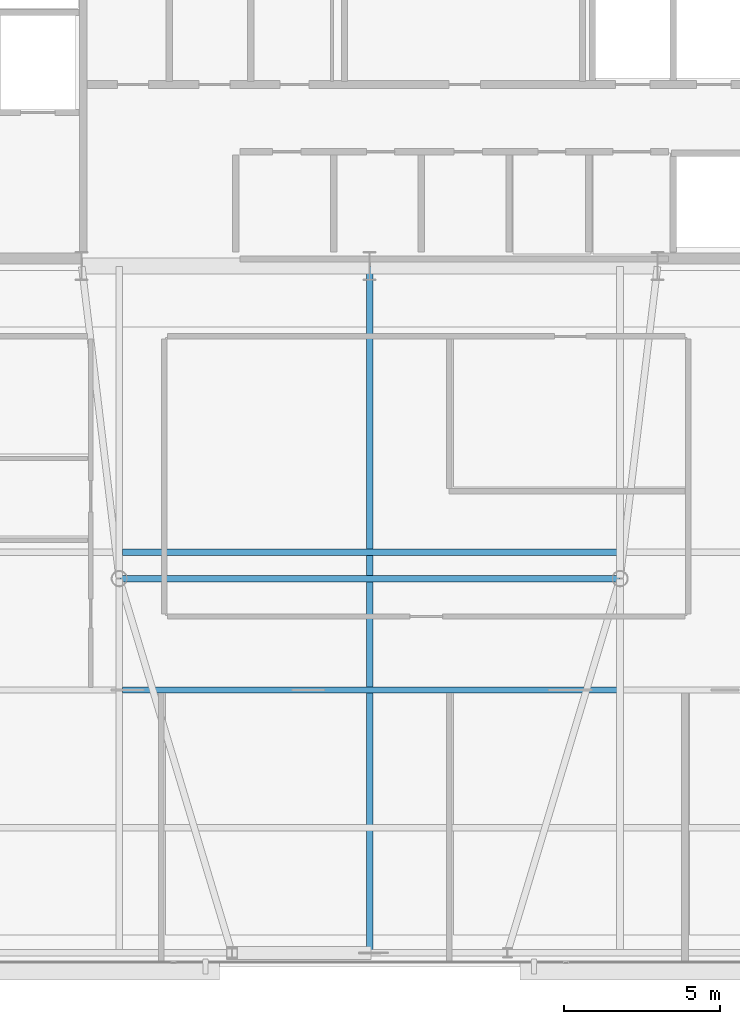
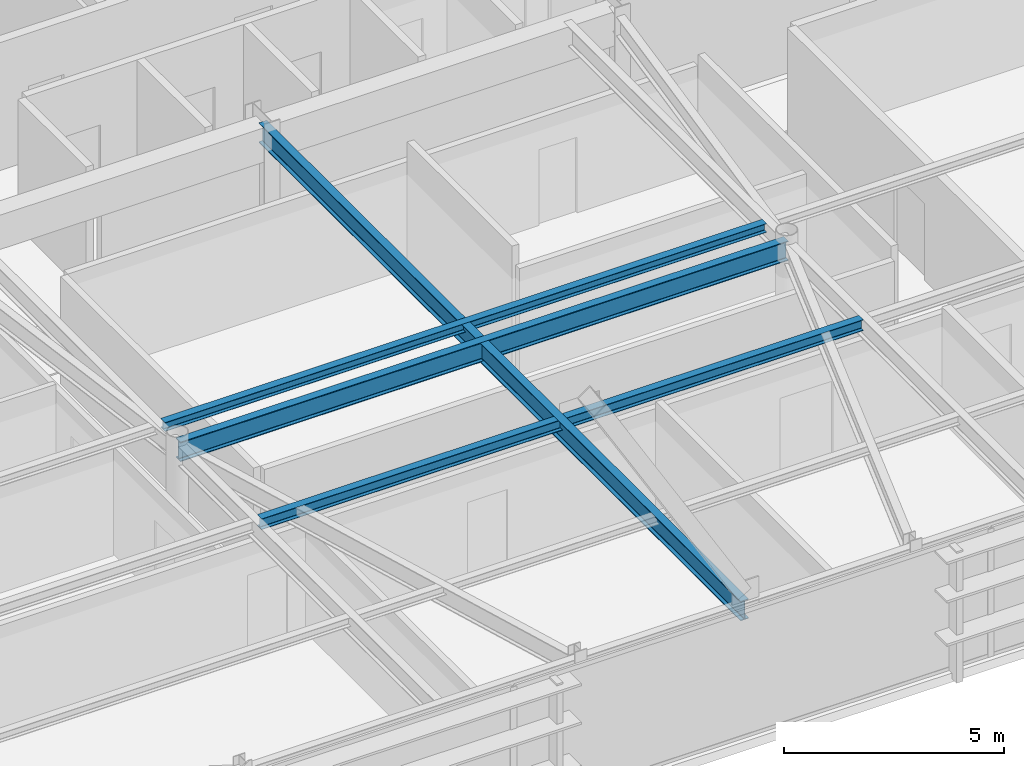
# One storey, part 9 of 24: 4 beams.
"""IFC4 building model written with IfcOpenShell, lengths in metres."""

from ifc_helpers import new_model, si_unit, direction, frame, origin, origin_2d, place, context, subcontext, project, spatial, i_section, extrude, source, transform, mapped, material, material_profile, profile_set, type_object, type_shapes, element, save


model = new_model("IFC4")

# Units and contexts
model_context = context("Model", 3, precision=1e-05, world=origin(), true_north=direction((0.0, 1.0)))
body_context = subcontext(model_context, "Body", "Model", "MODEL_VIEW")
ifc_project = project(units=[si_unit("LENGTHUNIT", "METRE"), si_unit("AREAUNIT", "SQUARE_METRE"), si_unit("VOLUMEUNIT", "CUBIC_METRE"), si_unit("PLANEANGLEUNIT", "RADIAN"), si_unit("MASSUNIT", "GRAM", prefix="KILO")], contexts=[model_context])

# Site, building, storey
site_placement = place(None, origin())
site = spatial("IfcSite", under=ifc_project, at=site_placement, CompositionType="ELEMENT")
building_placement = place(site_placement, origin())
building = spatial("IfcBuilding", under=site, at=building_placement, Name="Varnel Quay Broadcast Tower", CompositionType="ELEMENT")
storey_placement = place(building_placement, frame((0.0, 0.0, 262.199951171875)))
storey = spatial("IfcBuildingStorey", under=building, at=storey_placement, Name="L65", CompositionType="ELEMENT", Elevation=262.199951171875)

# Beams
ifc_material = material(Name="Structural Steel CSA G40.21 350W", Category="steel")
ifc_material_profile_1 = material_profile(ifc_material, i_section(OverallWidth=0.2119140625, OverallDepth=0.5439453125, WebThickness=0.01318359375, FlangeThickness=0.021240234375, FilletRadius=0.013916015625, at=origin_2d()), Name="W530X123")
ifc_profile_set_1 = profile_set([ifc_material_profile_1], Name="Structural Steel CSA G40.21 350W")
beam_type_1 = type_object("IfcBeamType", Name="Girder_W530X123", PredefinedType="BEAM", material=ifc_profile_set_1)
shared_shape_1 = source(origin(), body_context, "Body", "SweptSolid", [
    extrude(i_section(OverallWidth=0.2119140625, OverallDepth=0.5439453125, WebThickness=0.01318359375, FlangeThickness=0.021240234375, FilletRadius=0.013916015625, at=origin_2d()), origin(), (0.0, 0.0, 1.0), 15.9599609375),
])
beam_1_placement = place(storey_placement, frame((26.02001953125, 25.610107421875, 3.278076171875), z_axis=(1.0, 0.0, 0.0), x_axis=(0.0, 1.0, 0.0)))
element("IfcBeam", 1, at=beam_1_placement, inside=storey, type_object=beam_type_1, Name="L65 Interior Spine Girder", PredefinedType="BEAM", context=body_context, shape_type="MappedRepresentation", body=[
    mapped(shared_shape_1, transform((0.0, 0.0, 0.0), x_axis=(1.0, 0.0, 0.0), y_axis=(0.0, 1.0, 0.0), z_axis=(0.0, 0.0, 1.0), scale=1.0)),
])
shared_shape_2 = source(origin(), body_context, "Body", "SweptSolid", [
    extrude(i_section(OverallWidth=0.2119140625, OverallDepth=0.5439453125, WebThickness=0.01318359375, FlangeThickness=0.021240234375, FilletRadius=0.013916015625, at=origin_2d()), origin(), (0.0, 0.0, 1.0), 21.91015625),
])
type_shapes(beam_type_1, [shared_shape_1, shared_shape_2])
beam_2_placement = place(storey_placement, frame((34.0, 13.669921875, 3.278076171875), z_axis=(0.0, 1.0, 0.0), x_axis=(-1.0, 0.0, 0.0)))
element("IfcBeam", 2, at=beam_2_placement, inside=storey, type_object=beam_type_1, Name="L65 Central Bay Girder", PredefinedType="BEAM", context=body_context, shape_type="MappedRepresentation", body=[
    mapped(shared_shape_2, transform((0.0, 0.0, 0.0), x_axis=(1.0, 0.0, 0.0), y_axis=(0.0, 1.0, 0.0), z_axis=(0.0, 0.0, 1.0), scale=1.0)),
])
ifc_material_profile_2 = material_profile(ifc_material, i_section(OverallWidth=0.201904296875, OverallDepth=0.2470703125, WebThickness=0.00732421875, FlangeThickness=0.010986328125, FilletRadius=0.010986328125, at=origin_2d()), Name="W250X49")
ifc_profile_set_2 = profile_set([ifc_material_profile_2], Name="Structural Steel CSA G40.21 350W")
beam_type_2 = type_object("IfcBeamType", Name="Beam_W250X49", PredefinedType="JOIST", material=ifc_profile_set_2)
shared_shape_3 = source(origin(), body_context, "Body", "SweptSolid", [
    extrude(i_section(OverallWidth=0.201904296875, OverallDepth=0.2470703125, WebThickness=0.00732421875, FlangeThickness=0.010986328125, FilletRadius=0.010986328125, at=origin_2d()), origin(), (0.0, 0.0, 1.0), 15.7978515625),
])
type_shapes(beam_type_2, [shared_shape_3])
beam_3_placement = place(storey_placement, frame((26.10107421875, 26.449951171875, 3.426513671875), z_axis=(1.0, 0.0, 0.0), x_axis=(0.0, 1.0, 0.0)))
element("IfcBeam", 3, at=beam_3_placement, inside=storey, type_object=beam_type_2, Name="L65 Central Floor Joist 3", PredefinedType="JOIST", context=body_context, shape_type="MappedRepresentation", body=[
    mapped(shared_shape_3, transform((0.0, 0.0, 0.0), x_axis=(1.0, 0.0, 0.0), y_axis=(0.0, 1.0, 0.0), z_axis=(0.0, 0.0, 1.0), scale=1.0)),
])
ifc_material_profile_3 = material_profile(ifc_material, i_section(OverallWidth=0.202880859375, OverallDepth=0.302978515625, WebThickness=0.007568359375, FlangeThickness=0.01318359375, FilletRadius=0.011962890625, at=origin_2d()), Name="W310X60")
ifc_profile_set_3 = profile_set([ifc_material_profile_3], Name="Structural Steel CSA G40.21 350W")
beam_type_3 = type_object("IfcBeamType", Name="Beam_W310X60", PredefinedType="JOIST", material=ifc_profile_set_3)
shared_shape_4 = source(origin(), body_context, "Body", "SweptSolid", [
    extrude(i_section(OverallWidth=0.202880859375, OverallDepth=0.302978515625, WebThickness=0.007568359375, FlangeThickness=0.01318359375, FilletRadius=0.011962890625, at=origin_2d()), origin(), (0.0, 0.0, 1.0), 15.7978515625),
])
type_shapes(beam_type_3, [shared_shape_4])
beam_4_placement = place(storey_placement, frame((26.10107421875, 22.050048828125, 3.3984375), z_axis=(1.0, 0.0, 0.0), x_axis=(0.0, 1.0, 0.0)))
element("IfcBeam", 4, at=beam_4_placement, inside=storey, type_object=beam_type_3, Name="L65 Central Floor Joist 2", PredefinedType="JOIST", context=body_context, shape_type="MappedRepresentation", body=[
    mapped(shared_shape_4, transform((0.0, 0.0, 0.0), x_axis=(1.0, 0.0, 0.0), y_axis=(0.0, 1.0, 0.0), z_axis=(0.0, 0.0, 1.0), scale=1.0)),
])

save(model, "model.ifc")
